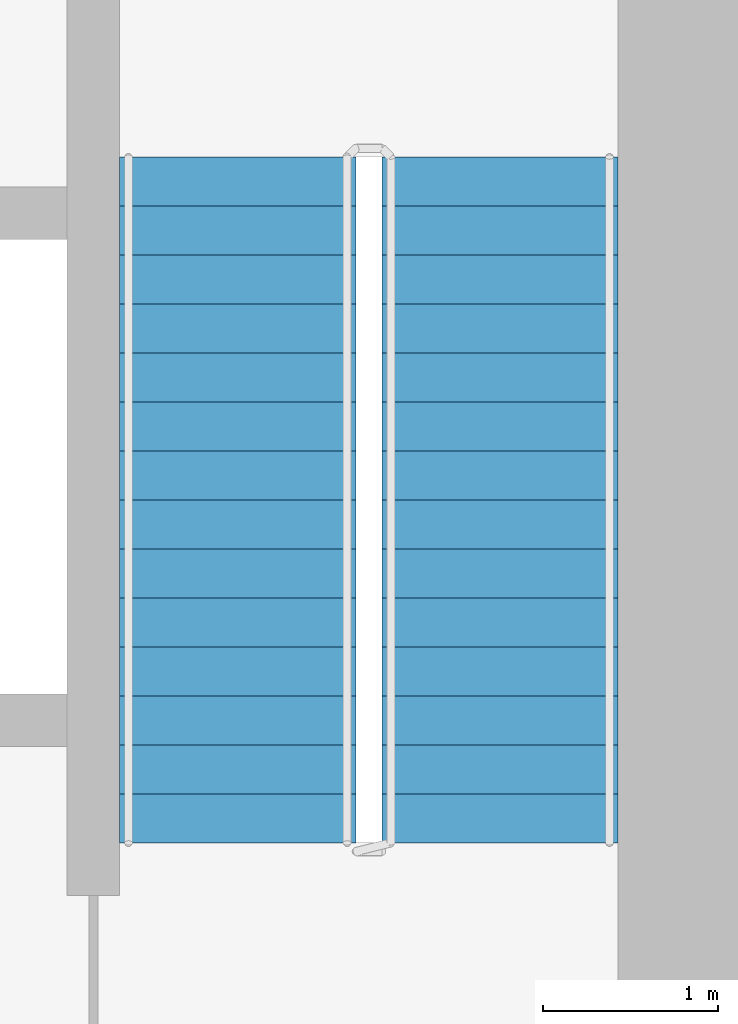
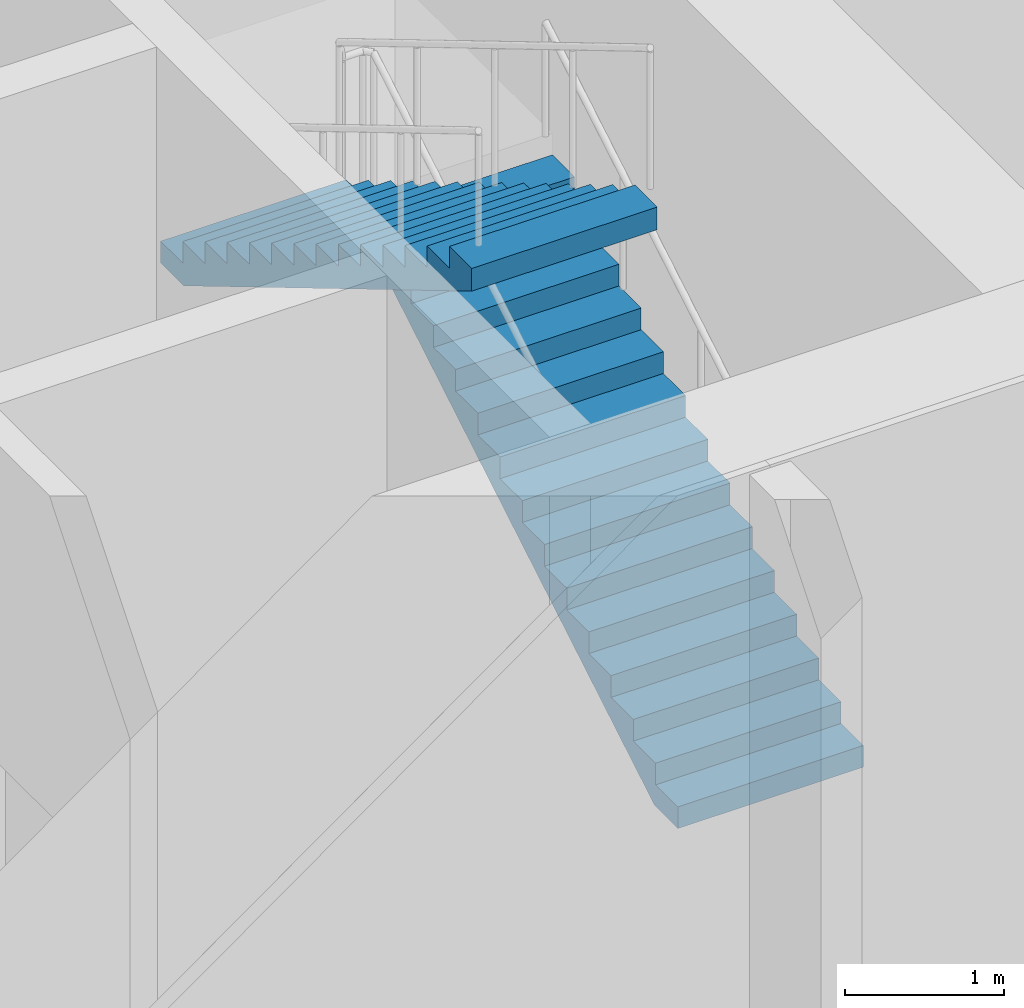
# One storey, part 10 of 15: 2 stair flights, 1 element without a shape of its own.
"""IFC4 building model written with IfcOpenShell, lengths in metres."""

from ifc_helpers import new_model, si_unit, direction, frame, origin, place, context, subcontext, project, spatial, polyline, outline, extrude, material, type_object, element, aggregate, save


model = new_model("IFC4")

# Units and contexts
model_context = context("Model", 3, precision=1e-05, world=origin(), true_north=direction((0.0, 1.0)))
body_context = subcontext(model_context, "Body", "Model", "MODEL_VIEW")
ifc_project = project(units=[si_unit("LENGTHUNIT", "METRE"), si_unit("AREAUNIT", "SQUARE_METRE"), si_unit("VOLUMEUNIT", "CUBIC_METRE"), si_unit("PLANEANGLEUNIT", "RADIAN"), si_unit("MASSUNIT", "GRAM", prefix="KILO")], contexts=[model_context])

# Site, building, storey
site_placement = place(None, origin())
site = spatial("IfcSite", under=ifc_project, at=site_placement, CompositionType="ELEMENT")
building_placement = place(site_placement, origin())
building = spatial("IfcBuilding", under=site, at=building_placement, Name="Finial Court Residences", CompositionType="ELEMENT")
storey_placement = place(building_placement, frame((0.0, 0.0, 138.89990234375)))
storey = spatial("IfcBuildingStorey", under=building, at=storey_placement, Name="L34", CompositionType="ELEMENT", Elevation=138.89990234375)

# Stair, stair flights
ifc_material = material(Name="Concrete C50/60", Category="concrete")
stair_type = type_object("IfcStairType", Name="Exit stair 30 risers of 166.7 mm", PredefinedType="HALF_TURN_STAIR", material=ifc_material)
stair_placement = place(storey_placement, origin())
stair = element("IfcStair", 1, at=stair_placement, inside=storey, type_object=stair_type, Name="L34 Exit stair ST-2", PredefinedType="HALF_TURN_STAIR")
stair_flight_type = type_object("IfcStairFlightType", Name="Exit stair flight", PredefinedType="STRAIGHT", material=ifc_material)
stair_flight_1_placement = place(storey_placement, frame((11.925048828125, -23.10009765625, 0.0), z_axis=(0.0, 0.0, 1.0), x_axis=(0.0, 1.0, 0.0)))
stair_flight_1 = element("IfcStairFlight", 2, at=stair_flight_1_placement, type_object=stair_flight_type, Name="ST-2 flight 1", NumberOfRisers=15, NumberOfTreads=14, PredefinedType="STRAIGHT", RiserHeight=0.166666667, TreadLength=0.28, context=body_context, shape_type="SweptSolid", body=[
    extrude(outline(polyline([(0.0, 0.0), (0.0, 0.166748046875), (0.280029296875, 0.166748046875), (0.280029296875, 0.333251953125), (0.56005859375, 0.333251953125), (0.56005859375, 0.5), (0.840087890625, 0.5), (0.840087890625, 0.666748046875), (1.1201171875, 0.666748046875), (1.1201171875, 0.833251953125), (1.39990234375, 0.833251953125), (1.39990234375, 1.0), (1.679931640625, 1.0), (1.679931640625, 1.166748046875), (1.9599609375, 1.166748046875), (1.9599609375, 1.333251953125), (2.239990234375, 1.333251953125), (2.239990234375, 1.5), (2.52001953125, 1.5), (2.52001953125, 1.666748046875), (2.800048828125, 1.666748046875), (2.800048828125, 1.833251953125), (3.080078125, 1.833251953125), (3.080078125, 2.0), (3.360107421875, 2.0), (3.360107421875, 2.166748046875), (3.639892578125, 2.166748046875), (3.639892578125, 2.333251953125), (3.919921875, 2.333251953125), (3.919921875, 2.5), (3.919921875, 2.158935546875), (0.29296875, 0.0), (0.0, 0.0)])), frame((0.0, 0.675048828125, 0.0), z_axis=(0.0, -1.0, 0.0), x_axis=(1.0, 0.0, 0.0)), (0.0, 0.0, 1.0), 1.35009765625),
])
stair_flight_2_placement = place(storey_placement, frame((10.425048828125, -19.179931640625, 2.5), z_axis=(0.0, 0.0, 1.0), x_axis=(0.0, -1.0, 0.0)))
stair_flight_2 = element("IfcStairFlight", 3, at=stair_flight_2_placement, type_object=stair_flight_type, Name="ST-2 flight 2", NumberOfRisers=15, NumberOfTreads=14, PredefinedType="STRAIGHT", RiserHeight=0.166666667, TreadLength=0.28, context=body_context, shape_type="SweptSolid", body=[
    extrude(outline(polyline([(0.0, 0.0), (0.0, 0.166748046875), (0.280029296875, 0.166748046875), (0.280029296875, 0.333251953125), (0.56005859375, 0.333251953125), (0.56005859375, 0.5), (0.840087890625, 0.5), (0.840087890625, 0.666748046875), (1.1201171875, 0.666748046875), (1.1201171875, 0.833251953125), (1.39990234375, 0.833251953125), (1.39990234375, 1.0), (1.679931640625, 1.0), (1.679931640625, 1.166748046875), (1.9599609375, 1.166748046875), (1.9599609375, 1.333251953125), (2.239990234375, 1.333251953125), (2.239990234375, 1.5), (2.52001953125, 1.5), (2.52001953125, 1.666748046875), (2.800048828125, 1.666748046875), (2.800048828125, 1.833251953125), (3.080078125, 1.833251953125), (3.080078125, 2.0), (3.360107421875, 2.0), (3.360107421875, 2.166748046875), (3.639892578125, 2.166748046875), (3.639892578125, 2.333251953125), (3.919921875, 2.333251953125), (3.919921875, 2.5), (3.919921875, 2.158935546875), (0.29296875, 0.0), (0.0, 0.0)])), frame((0.0, 0.675048828125, 0.0), z_axis=(0.0, -1.0, 0.0), x_axis=(1.0, 0.0, 0.0)), (0.0, 0.0, 1.0), 1.35009765625),
])
aggregate(stair, [stair_flight_1, stair_flight_2])

save(model, "model.ifc")
